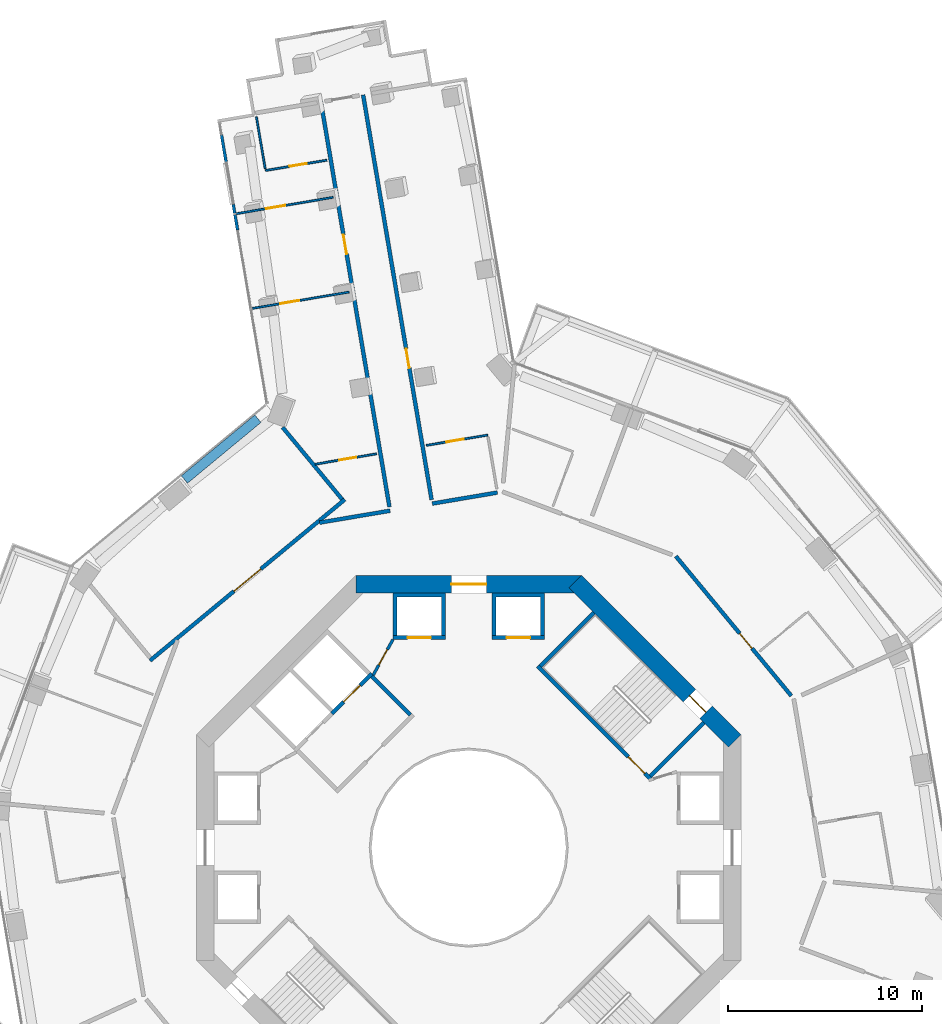
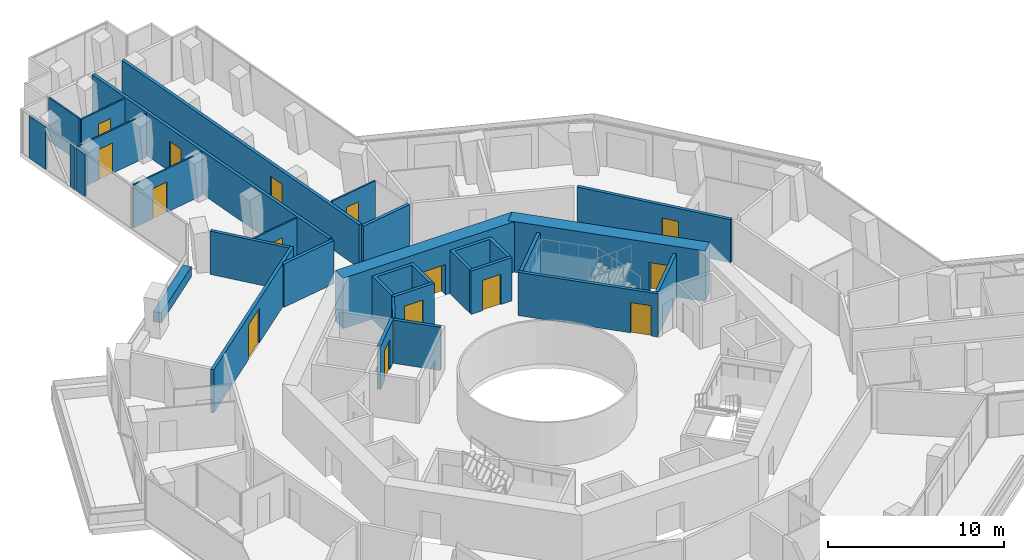
# One storey, part 23 of 27: 29 walls, 16 doors, 16 openings.
"""IFC4 building model written with IfcOpenShell, lengths in metres."""

from ifc_helpers import new_model, si_unit, direction, frame, frame_2d, origin, place, context, subcontext, project, spatial, polyline, rectangle, outline, extrude, material, layer, layer_set, type_object, element, fill, save


model = new_model("IFC4")

# Units and contexts
model_context = context("Model", 3, precision=1e-05, world=origin(), true_north=direction((0.0, 1.0)))
body_context = subcontext(model_context, "Body", "Model", "MODEL_VIEW")
ifc_project = project(units=[si_unit("LENGTHUNIT", "METRE"), si_unit("AREAUNIT", "SQUARE_METRE"), si_unit("VOLUMEUNIT", "CUBIC_METRE"), si_unit("PLANEANGLEUNIT", "RADIAN"), si_unit("MASSUNIT", "GRAM", prefix="KILO")], contexts=[model_context])

# Site, building, storey
site_placement = place(None, origin())
site = spatial("IfcSite", under=ifc_project, at=site_placement, CompositionType="ELEMENT")
building_placement = place(site_placement, origin())
building = spatial("IfcBuilding", under=site, at=building_placement, Name="Verdalira Terraces Hotel", CompositionType="ELEMENT")
storey_placement = place(building_placement, frame((0.0, 0.0, 71.5)))
storey = spatial("IfcBuildingStorey", under=building, at=storey_placement, Name="L16", CompositionType="ELEMENT", Elevation=71.5)

# Wall
ifc_material_1 = material(Name="Moisture-resistant gypsum board partition")
ifc_layer_1 = layer(ifc_material_1, 0.10009765625)
ifc_layer_set_1 = layer_set([ifc_layer_1], Name="Bathroom partition 100 mm")
wall_type_1 = type_object("IfcWallType", Name="Bathroom partition 100 mm", PredefinedType="PARTITIONING", material=ifc_layer_set_1)
wall_1_placement = place(storey_placement, frame((-10.920654, 37.583252, 0.0), z_axis=(0.0, 0.0, 1.0), x_axis=(0.166729833, -0.986002618, 0.0)))
element("IfcWall", 1, at=wall_1_placement, inside=storey, type_object=wall_type_1, Name="Bathroom partition", PredefinedType="PARTITIONING", context=body_context, shape_type="SweptSolid", body=[
    extrude(rectangle(XDim=2.700195, YDim=0.100098, at=frame_2d((1.350098, 0.0))), origin(), (0.0, 0.0, 1.0), 3.0),
])

# Wall, opening, door
wall_2_placement = place(storey_placement, frame((-11.954346, 32.601074, 0.0), z_axis=(0.0, 0.0, 1.0), x_axis=(0.985992508, 0.166789613, 0.0)))
wall_2 = element("IfcWall", 2, at=wall_2_placement, inside=storey, type_object=wall_type_1, Name="Bathroom partition", PredefinedType="PARTITIONING", context=body_context, shape_type="SweptSolid", body=[
    extrude(rectangle(XDim=5.050049, YDim=0.100098, at=frame_2d((2.524902, 0.0))), origin(), (0.0, 0.0, 1.0), 3.0),
])
opening_1_placement = place(wall_2_placement, frame((1.550049, 0.0, 0.0)))
opening_1 = element("IfcOpeningElement", 3, at=opening_1_placement, cuts=wall_2, Name="Opening L16-105", PredefinedType="OPENING", context=body_context, shape_type="SweptSolid", body=[
    extrude(rectangle(XDim=1.0, YDim=2.100098, at=frame_2d((0.5, 1.050049))), frame((0.0, 0.060059, 0.0), z_axis=(0.0, -1.0, 0.0), x_axis=(1.0, 0.0, 0.0)), (0.0, 0.0, 1.0), 0.120117),
])
ifc_material_2 = material(Name="Timber door", Category="wood")
door_type_1 = type_object("IfcDoorType", Name="Suite internal door 1000 x 2100", OperationType="NOTDEFINED", PredefinedType="DOOR", material=ifc_material_2)
door_1_placement = place(opening_1_placement, origin())
door_1 = element("IfcDoor", 4, at=door_1_placement, inside=storey, type_object=door_type_1, Name="Suite internal door 1603", OperationType="SINGLE_SWING_LEFT", OverallHeight=2.10009765625, OverallWidth=1.0, PredefinedType="DOOR", context=body_context, shape_type="SweptSolid", body=[
    extrude(rectangle(XDim=1.0, YDim=2.100098, at=frame_2d((0.5, 1.050049))), frame((0.0, 0.024902, 0.0), z_axis=(0.0, -1.0, 0.0), x_axis=(1.0, 0.0, 0.0)), (0.0, 0.0, 1.0), 0.050049),
])
fill(opening_1, door_1)

wall_3_placement = place(storey_placement, frame((-10.453613, 34.82251, 0.0), z_axis=(0.0, 0.0, 1.0), x_axis=(0.985993049, 0.166786412, 0.0)))
wall_3 = element("IfcWall", 5, at=wall_3_placement, inside=storey, type_object=wall_type_1, Name="Bathroom partition", PredefinedType="PARTITIONING", context=body_context, shape_type="SweptSolid", body=[
    extrude(rectangle(XDim=3.199951, YDim=0.100098, at=frame_2d((1.600098, 0.0))), origin(), (0.0, 0.0, 1.0), 3.0),
])
opening_2_placement = place(wall_3_placement, frame((1.25, 0.0, 0.0)))
opening_2 = element("IfcOpeningElement", 6, at=opening_2_placement, cuts=wall_3, Name="Opening L16-107", PredefinedType="OPENING", context=body_context, shape_type="SweptSolid", body=[
    extrude(rectangle(XDim=0.899902, YDim=2.100098, at=frame_2d((0.449951, 1.050049))), frame((0.0, 0.060059, 0.0), z_axis=(0.0, -1.0, 0.0), x_axis=(1.0, 0.0, 0.0)), (0.0, 0.0, 1.0), 0.120117),
])
ifc_material_3 = material(Name="Timber door", Category="wood")
door_type_2 = type_object("IfcDoorType", Name="Bathroom door 900 x 2100", OperationType="NOTDEFINED", PredefinedType="DOOR", material=ifc_material_3)
door_2_placement = place(opening_2_placement, origin())
door_2 = element("IfcDoor", 7, at=door_2_placement, inside=storey, type_object=door_type_2, Name="Bathroom door 1603", OperationType="SINGLE_SWING_LEFT", OverallHeight=2.10009765625, OverallWidth=0.89990234375, PredefinedType="DOOR", context=body_context, shape_type="SweptSolid", body=[
    extrude(rectangle(XDim=0.899902, YDim=2.100098, at=frame_2d((0.449951, 1.050049))), frame((0.0, 0.024902, 0.0), z_axis=(0.0, -1.0, 0.0), x_axis=(1.0, 0.0, 0.0)), (0.0, 0.0, 1.0), 0.050049),
])
fill(opening_2, door_2)

wall_4_placement = place(storey_placement, frame((-6.151123, 28.57251, 0.0), z_axis=(0.0, 0.0, 1.0), x_axis=(-0.986000457, -0.166742612, 0.0)))
wall_4 = element("IfcWall", 8, at=wall_4_placement, inside=storey, type_object=wall_type_1, Name="Bathroom partition", PredefinedType="PARTITIONING", context=body_context, shape_type="SweptSolid", body=[
    extrude(rectangle(XDim=5.050049, YDim=0.100098, at=frame_2d((2.524902, 0.0))), origin(), (0.0, 0.0, 1.0), 3.0),
])
opening_3_placement = place(wall_4_placement, frame((2.600098, 0.0, 0.0)))
opening_3 = element("IfcOpeningElement", 9, at=opening_3_placement, cuts=wall_4, Name="Opening L16-106", PredefinedType="OPENING", context=body_context, shape_type="SweptSolid", body=[
    extrude(rectangle(XDim=1.0, YDim=2.100098, at=frame_2d((0.5, 1.050049))), frame((0.0, 0.060059, 0.0), z_axis=(0.0, -1.0, 0.0), x_axis=(1.0, 0.0, 0.0)), (0.0, 0.0, 1.0), 0.120117),
])
door_3_placement = place(opening_3_placement, origin())
door_3 = element("IfcDoor", 10, at=door_3_placement, inside=storey, type_object=door_type_1, Name="Suite internal door 1603", OperationType="SINGLE_SWING_LEFT", OverallHeight=2.10009765625, OverallWidth=1.0, PredefinedType="DOOR", context=body_context, shape_type="SweptSolid", body=[
    extrude(rectangle(XDim=1.0, YDim=2.100098, at=frame_2d((0.5, 1.050049))), frame((0.0, 0.024902, 0.0), z_axis=(0.0, -1.0, 0.0), x_axis=(1.0, 0.0, 0.0)), (0.0, 0.0, 1.0), 0.050049),
])
fill(opening_3, door_3)

wall_5_placement = place(storey_placement, frame((-4.743652, 20.250732, 0.0), z_axis=(0.0, 0.0, 1.0), x_axis=(-0.986001351, -0.166737323, 0.0)))
wall_5 = element("IfcWall", 11, at=wall_5_placement, inside=storey, type_object=wall_type_1, Name="Bathroom partition", PredefinedType="PARTITIONING", context=body_context, shape_type="SweptSolid", body=[
    extrude(rectangle(XDim=3.199219, YDim=0.100098, at=frame_2d((1.599609, 0.0))), origin(), (0.0, 0.0, 1.0), 3.0),
])
opening_4_placement = place(wall_5_placement, frame((1.050049, 0.0, 0.0)))
opening_4 = element("IfcOpeningElement", 12, at=opening_4_placement, cuts=wall_5, Name="Opening L16-108", PredefinedType="OPENING", context=body_context, shape_type="SweptSolid", body=[
    extrude(rectangle(XDim=0.899902, YDim=2.100098, at=frame_2d((0.449951, 1.050049))), frame((0.0, 0.060059, 0.0), z_axis=(0.0, -1.0, 0.0), x_axis=(1.0, 0.0, 0.0)), (0.0, 0.0, 1.0), 0.120117),
])
door_4_placement = place(opening_4_placement, origin())
door_4 = element("IfcDoor", 13, at=door_4_placement, inside=storey, type_object=door_type_2, Name="Bathroom door 1603", OperationType="SINGLE_SWING_RIGHT", OverallHeight=2.10009765625, OverallWidth=0.89990234375, PredefinedType="DOOR", context=body_context, shape_type="SweptSolid", body=[
    extrude(rectangle(XDim=0.899902, YDim=2.100098, at=frame_2d((0.449951, 1.050049))), frame((0.0, 0.024902, 0.0), z_axis=(0.0, -1.0, 0.0), x_axis=(1.0, 0.0, 0.0)), (0.0, 0.0, 1.0), 0.050049),
])
fill(opening_4, door_4)

wall_6_placement = place(storey_placement, frame((0.975098, 21.218018, 0.0), z_axis=(0.0, 0.0, 1.0), x_axis=(-0.985993049, -0.166786412, 0.0)))
wall_6 = element("IfcWall", 14, at=wall_6_placement, inside=storey, type_object=wall_type_1, Name="Bathroom partition", PredefinedType="PARTITIONING", context=body_context, shape_type="SweptSolid", body=[
    extrude(rectangle(XDim=3.199951, YDim=0.100098, at=frame_2d((1.600098, 0.0))), origin(), (0.0, 0.0, 1.0), 3.0),
])
opening_5_placement = place(wall_6_placement, frame((1.25, 0.0, 0.0)))
opening_5 = element("IfcOpeningElement", 15, at=opening_5_placement, cuts=wall_6, Name="Opening L16-102", PredefinedType="OPENING", context=body_context, shape_type="SweptSolid", body=[
    extrude(rectangle(XDim=0.899902, YDim=2.100098, at=frame_2d((0.449951, 1.050049))), frame((0.0, 0.060059, 0.0), z_axis=(0.0, -1.0, 0.0), x_axis=(1.0, 0.0, 0.0)), (0.0, 0.0, 1.0), 0.120117),
])
door_5_placement = place(opening_5_placement, origin())
door_5 = element("IfcDoor", 16, at=door_5_placement, inside=storey, type_object=door_type_2, Name="Bathroom door 1601", OperationType="SINGLE_SWING_LEFT", OverallHeight=2.10009765625, OverallWidth=0.89990234375, PredefinedType="DOOR", context=body_context, shape_type="SweptSolid", body=[
    extrude(rectangle(XDim=0.899902, YDim=2.100098, at=frame_2d((0.449951, 1.050049))), frame((0.0, 0.024902, 0.0), z_axis=(0.0, -1.0, 0.0), x_axis=(1.0, 0.0, 0.0)), (0.0, 0.0, 1.0), 0.050049),
])
fill(opening_5, door_5)

# Wall
ifc_material_4 = material(Name="Concrete C50", Category="concrete")
ifc_layer_2 = layer(ifc_material_4, 0.199951171875)
ifc_layer_set_2 = layer_set([ifc_layer_2], Name="Core RC wall 200 C50")
wall_type_2 = type_object("IfcWallType", Name="Core RC wall 200 C50", PredefinedType="SOLIDWALL", material=ifc_layer_set_2)
wall_7_placement = place(storey_placement, origin())
element("IfcWall", 17, at=wall_7_placement, inside=storey, type_object=wall_type_2, Name="L16 shaft wall N1", PredefinedType="SOLIDWALL", context=body_context, shape_type="SweptSolid", body=[
    extrude(outline(polyline([(3.899902, 13.100098), (3.899902, 10.899902), (3.699951, 10.899902), (3.699951, 12.899902), (1.399902, 12.899902), (1.399902, 10.899902), (1.199951, 10.899902), (1.199951, 13.100098), (3.899902, 13.100098)])), origin(), (0.0, 0.0, 1.0), 3.0),
])

# Wall, opening, door
wall_8_placement = place(storey_placement, frame((1.199951, 10.800049, 0.0), z_axis=(0.0, 0.0, 1.0), x_axis=(1.0, 0.0, 0.0)))
wall_8 = element("IfcWall", 18, at=wall_8_placement, inside=storey, type_object=wall_type_2, Name="L16 shaft front wall N1", PredefinedType="SOLIDWALL", context=body_context, shape_type="SweptSolid", body=[
    extrude(rectangle(XDim=2.699951, YDim=0.199951, at=frame_2d((1.350098, 0.0))), origin(), (0.0, 0.0, 1.0), 3.0),
])
opening_6_placement = place(wall_8_placement, frame((0.75, 0.0, 0.0)))
opening_6 = element("IfcOpeningElement", 19, at=opening_6_placement, cuts=wall_8, Name="Opening LD-L16-803", PredefinedType="OPENING", context=body_context, shape_type="SweptSolid", body=[
    extrude(rectangle(XDim=1.199951, YDim=2.100098, at=frame_2d((0.600098, 1.050049))), frame((0.0, 0.109863, 0.0), z_axis=(0.0, -1.0, 0.0), x_axis=(1.0, 0.0, 0.0)), (0.0, 0.0, 1.0), 0.219971),
])
ifc_material_5 = material(Name="Stainless steel", Category="steel")
door_type_3 = type_object("IfcDoorType", Name="Landing door 1200 x 2100", OperationType="NOTDEFINED", PredefinedType="DOOR", material=ifc_material_5)
door_6_placement = place(opening_6_placement, origin())
door_6 = element("IfcDoor", 20, at=door_6_placement, inside=storey, type_object=door_type_3, Name="Lift landing door LR3 L16", OperationType="DOUBLE_DOOR_SLIDING", OverallHeight=2.10009765625, OverallWidth=1.199951171875, PredefinedType="DOOR", context=body_context, shape_type="SweptSolid", body=[
    extrude(rectangle(XDim=1.199951, YDim=2.100098, at=frame_2d((0.600098, 1.050049))), frame((0.0, 0.024902, 0.0), z_axis=(0.0, -1.0, 0.0), x_axis=(1.0, 0.0, 0.0)), (0.0, 0.0, 1.0), 0.050049),
])
fill(opening_6, door_6)

# Wall
wall_9_placement = place(storey_placement, origin())
element("IfcWall", 21, at=wall_9_placement, inside=storey, type_object=wall_type_2, Name="L16 shaft wall N2", PredefinedType="SOLIDWALL", context=body_context, shape_type="SweptSolid", body=[
    extrude(outline(polyline([(-3.899902, 10.899902), (-3.899902, 13.100098), (-1.199951, 13.100098), (-1.199951, 10.899902), (-1.399902, 10.899902), (-1.399902, 12.899902), (-3.699951, 12.899902), (-3.699951, 10.899902), (-3.899902, 10.899902)])), origin(), (0.0, 0.0, 1.0), 3.0),
])

# Wall, opening, door
wall_10_placement = place(storey_placement, frame((-1.199951, 10.800049, 0.0), z_axis=(0.0, 0.0, 1.0), x_axis=(-1.0, 0.0, 0.0)))
wall_10 = element("IfcWall", 22, at=wall_10_placement, inside=storey, type_object=wall_type_2, Name="L16 shaft front wall N2", PredefinedType="SOLIDWALL", context=body_context, shape_type="SweptSolid", body=[
    extrude(rectangle(XDim=2.699951, YDim=0.199951, at=frame_2d((1.350098, 0.0))), origin(), (0.0, 0.0, 1.0), 3.0),
])
opening_7_placement = place(wall_10_placement, frame((0.75, 0.0, 0.0)))
opening_7 = element("IfcOpeningElement", 23, at=opening_7_placement, cuts=wall_10, Name="Opening LD-L16-804", PredefinedType="OPENING", context=body_context, shape_type="SweptSolid", body=[
    extrude(rectangle(XDim=1.199951, YDim=2.100098, at=frame_2d((0.600098, 1.050049))), frame((0.0, 0.109863, 0.0), z_axis=(0.0, -1.0, 0.0), x_axis=(1.0, 0.0, 0.0)), (0.0, 0.0, 1.0), 0.219971),
])
door_7_placement = place(opening_7_placement, origin())
door_7 = element("IfcDoor", 24, at=door_7_placement, inside=storey, type_object=door_type_3, Name="Lift landing door LR4 L16", OperationType="DOUBLE_DOOR_SLIDING", OverallHeight=2.10009765625, OverallWidth=1.199951171875, PredefinedType="DOOR", context=body_context, shape_type="SweptSolid", body=[
    extrude(rectangle(XDim=1.199951, YDim=2.100098, at=frame_2d((0.600098, 1.050049))), frame((0.0, 0.024902, 0.0), z_axis=(0.0, -1.0, 0.0), x_axis=(1.0, 0.0, 0.0)), (0.0, 0.0, 1.0), 0.050049),
])
fill(opening_7, door_7)

wall_11_placement = place(storey_placement, frame((-4.985107, 8.944824, 0.0), z_axis=(0.0, 0.0, 1.0), x_axis=(-0.707106781, -0.707106781, 0.0)))
wall_11 = element("IfcWall", 25, at=wall_11_placement, inside=storey, type_object=wall_type_2, Name="L16 shaft front wall F1", PredefinedType="SOLIDWALL", context=body_context, shape_type="SweptSolid", body=[
    extrude(rectangle(XDim=2.899902, YDim=0.199951, at=frame_2d((1.449951, 0.0))), origin(), (0.0, 0.0, 1.0), 3.0),
])
opening_8_placement = place(wall_11_placement, frame((0.850098, 0.0, 0.0)))
opening_8 = element("IfcOpeningElement", 26, at=opening_8_placement, cuts=wall_11, Name="Opening LD-L16-807", PredefinedType="OPENING", context=body_context, shape_type="SweptSolid", body=[
    extrude(rectangle(XDim=1.199951, YDim=2.100098, at=frame_2d((0.600098, 1.050049))), frame((0.0, 0.109863, 0.0), z_axis=(0.0, -1.0, 0.0), x_axis=(1.0, 0.0, 0.0)), (0.0, 0.0, 1.0), 0.219971),
])
door_8_placement = place(opening_8_placement, origin())
door_8 = element("IfcDoor", 27, at=door_8_placement, inside=storey, type_object=door_type_3, Name="Lift landing door LF11 L16", OperationType="DOUBLE_DOOR_SLIDING", OverallHeight=2.10009765625, OverallWidth=1.199951171875, PredefinedType="DOOR", context=body_context, shape_type="SweptSolid", body=[
    extrude(rectangle(XDim=1.199951, YDim=2.100098, at=frame_2d((0.600098, 1.050049))), frame((0.0, 0.024902, 0.0), z_axis=(0.0, -1.0, 0.0), x_axis=(1.0, 0.0, 0.0)), (0.0, 0.0, 1.0), 0.050049),
])
fill(opening_8, door_8)

wall_12_placement = place(storey_placement, frame((3.5354, 9.33374, 0.0), z_axis=(0.0, 0.0, 1.0), x_axis=(0.707106781, -0.707106781, 0.0)))
wall_12 = element("IfcWall", 28, at=wall_12_placement, inside=storey, type_object=wall_type_2, Name="L16 stair ST1 front wall", PredefinedType="SOLIDWALL", context=body_context, shape_type="SweptSolid", body=[
    extrude(rectangle(XDim=8.200195, YDim=0.199951, at=frame_2d((4.100098, 0.0))), origin(), (0.0, 0.0, 1.0), 3.0),
])
opening_9_placement = place(wall_12_placement, frame((6.600098, 0.0, 0.0)))
opening_9 = element("IfcOpeningElement", 29, at=opening_9_placement, cuts=wall_12, Name="Opening L16-809", PredefinedType="OPENING", context=body_context, shape_type="SweptSolid", body=[
    extrude(rectangle(XDim=1.199951, YDim=2.100098, at=frame_2d((0.600098, 1.050049))), frame((0.0, 0.109863, 0.0), z_axis=(0.0, -1.0, 0.0), x_axis=(1.0, 0.0, 0.0)), (0.0, 0.0, 1.0), 0.219971),
])
ifc_material_6 = material(Name="Steel fire door", Category="steel")
door_type_4 = type_object("IfcDoorType", Name="Stair door 1200 x 2100", OperationType="NOTDEFINED", PredefinedType="DOOR", material=ifc_material_6)
door_9_placement = place(opening_9_placement, origin())
door_9 = element("IfcDoor", 30, at=door_9_placement, inside=storey, type_object=door_type_4, Name="Stair door ST1 L16", OperationType="SINGLE_SWING_RIGHT", OverallHeight=2.10009765625, OverallWidth=1.199951171875, PredefinedType="DOOR", context=body_context, shape_type="SweptSolid", body=[
    extrude(rectangle(XDim=1.199951, YDim=2.100098, at=frame_2d((0.600098, 1.050049))), frame((0.0, 0.024902, 0.0), z_axis=(0.0, -1.0, 0.0), x_axis=(1.0, 0.0, 0.0)), (0.0, 0.0, 1.0), 0.050049),
])
fill(opening_9, door_9)

# Walls
for number, where, z_axis, x_axis, name in (
    (31, (9.33374, 3.677002, 0.0), (0.0, 0.0, 1.0), (0.707106781, 0.707106781, 0.0), "L16 stair ST1 end wall 1"),
    (32, (3.677002, 9.33374, 0.0), (0.0, 0.0, 1.0), (0.707106781, 0.707106781, 0.0), "L16 stair ST1 end wall 2"),
):
    element("IfcWall", number, at=place(storey_placement, frame(where, z_axis=z_axis, x_axis=x_axis)), inside=storey, type_object=wall_type_2, Name=name, PredefinedType="SOLIDWALL", context=body_context, shape_type="SweptSolid", body=[
        extrude(rectangle(XDim=3.900146, YDim=0.199951, at=frame_2d((1.950195, 0.0))), origin(), (0.0, 0.0, 1.0), 3.0),
    ])
wall_13_placement = place(storey_placement, frame((-3.005127, 6.823486, 0.0), z_axis=(0.0, 0.0, 1.0), x_axis=(-0.707106781, 0.707106781, 0.0)))
element("IfcWall", 33, at=wall_13_placement, inside=storey, type_object=wall_type_2, Name="L16 fire lobby wall", PredefinedType="SOLIDWALL", context=body_context, shape_type="SweptSolid", body=[
    extrude(rectangle(XDim=2.800049, YDim=0.199951, at=frame_2d((1.399902, 0.0))), origin(), (0.0, 0.0, 1.0), 3.0),
])

# Wall, opening, door
ifc_material_7 = material(Name="Gypsum board partition")
ifc_layer_3 = layer(ifc_material_7, 0.14990234375)
ifc_layer_set_3 = layer_set([ifc_layer_3], Name="Core partition 150 mm")
wall_type_3 = type_object("IfcWallType", Name="Core partition 150 mm", PredefinedType="PARTITIONING", material=ifc_layer_set_3)
wall_14_placement = place(storey_placement, frame((-3.899902, 10.699951, 0.0), z_axis=(0.0, 0.0, 1.0), x_axis=(-0.485692555, -0.874129705, 0.0)))
wall_14 = element("IfcWall", 34, at=wall_14_placement, inside=storey, type_object=wall_type_3, Name="Room partition L16", PredefinedType="PARTITIONING", context=body_context, shape_type="SweptSolid", body=[
    extrude(rectangle(XDim=2.088623, YDim=0.149902, at=frame_2d((1.044434, 0.0))), origin(), (0.0, 0.0, 1.0), 3.0),
])
opening_10_placement = place(wall_14_placement, frame((0.594238, 0.0, 0.0)))
opening_10 = element("IfcOpeningElement", 35, at=opening_10_placement, cuts=wall_14, Name="Opening L16-821", PredefinedType="OPENING", context=body_context, shape_type="SweptSolid", body=[
    extrude(rectangle(XDim=0.899902, YDim=2.100098, at=frame_2d((0.449951, 1.050049))), frame((0.0, 0.084961, 0.0), z_axis=(0.0, -1.0, 0.0), x_axis=(1.0, 0.0, 0.0)), (0.0, 0.0, 1.0), 0.169922),
])
ifc_material_8 = material(Name="Steel fire door", Category="steel")
door_type_5 = type_object("IfcDoorType", Name="Core room door 900 x 2100", OperationType="NOTDEFINED", PredefinedType="DOOR", material=ifc_material_8)
door_10_placement = place(opening_10_placement, origin())
door_10 = element("IfcDoor", 36, at=door_10_placement, inside=storey, type_object=door_type_5, Name="Door L16 room2", OperationType="SINGLE_SWING_LEFT", OverallHeight=2.10009765625, OverallWidth=0.89990234375, PredefinedType="DOOR", context=body_context, shape_type="SweptSolid", body=[
    extrude(rectangle(XDim=0.899902, YDim=2.100098, at=frame_2d((0.449951, 1.050049))), frame((0.0, 0.024902, 0.0), z_axis=(0.0, -1.0, 0.0), x_axis=(1.0, 0.0, 0.0)), (0.0, 0.0, 1.0), 0.050049),
])
fill(opening_10, door_10)

ifc_material_9 = material(Name="Concrete C70", Category="concrete")
ifc_layer_4 = layer(ifc_material_9, 0.89990234375)
ifc_layer_set_4 = layer_set([ifc_layer_4], Name="Core wall 900 C70")
wall_type_4 = type_object("IfcWallType", Name="Core wall 900 C70", PredefinedType="SHEAR", material=ifc_layer_set_4)
wall_15_placement = place(storey_placement, frame((13.681885, 5.480713, 0.0), z_axis=(0.0, 0.0, 1.0), x_axis=(-0.707106781, 0.707106781, 0.0)))
wall_15 = element("IfcWall", 37, at=wall_15_placement, inside=storey, type_object=wall_type_4, Name="Core wall CW-L16-2", PredefinedType="SHEAR", context=body_context, shape_type="SweptSolid", body=[
    extrude(rectangle(XDim=11.598145, YDim=0.899902, at=frame_2d((5.799072, 0.0))), origin(), (0.0, 0.0, 1.0), 3.5),
])
opening_11_placement = place(wall_15_placement, frame((2.099121, 0.0, 0.0)))
opening_11 = element("IfcOpeningElement", 38, at=opening_11_placement, cuts=wall_15, Name="Opening L16-816", PredefinedType="OPENING", context=body_context, shape_type="SweptSolid", body=[
    extrude(rectangle(XDim=1.199951, YDim=2.100098, at=frame_2d((0.600098, 1.050049))), frame((0.0, 0.459961, 0.0), z_axis=(0.0, -1.0, 0.0), x_axis=(1.0, 0.0, 0.0)), (0.0, 0.0, 1.0), 0.919922),
])
door_11_placement = place(opening_11_placement, origin())
door_11 = element("IfcDoor", 39, at=door_11_placement, inside=storey, type_object=door_type_4, Name="Stair exit door ST1 L16", OperationType="SINGLE_SWING_LEFT", OverallHeight=2.10009765625, OverallWidth=1.199951171875, PredefinedType="DOOR", context=body_context, shape_type="SweptSolid", body=[
    extrude(rectangle(XDim=1.199951, YDim=2.100098, at=frame_2d((0.600098, 1.050049))), frame((0.0, 0.024902, 0.0), z_axis=(0.0, -1.0, 0.0), x_axis=(1.0, 0.0, 0.0)), (0.0, 0.0, 1.0), 0.050049),
])
fill(opening_11, door_11)

wall_16_placement = place(storey_placement, frame((5.799072, 13.550049, 0.0), z_axis=(0.0, 0.0, 1.0), x_axis=(-1.0, 0.0, 0.0)))
wall_16 = element("IfcWall", 40, at=wall_16_placement, inside=storey, type_object=wall_type_4, Name="Core wall CW-L16-3", PredefinedType="SHEAR", context=body_context, shape_type="SweptSolid", body=[
    extrude(rectangle(XDim=11.598145, YDim=0.899902, at=frame_2d((5.799072, 0.0))), origin(), (0.0, 0.0, 1.0), 3.5),
])
opening_12_placement = place(wall_16_placement, frame((4.898926, 0.0, 0.0)))
opening_12 = element("IfcOpeningElement", 41, at=opening_12_placement, cuts=wall_16, Name="Opening L16-813", PredefinedType="OPENING", context=body_context, shape_type="SweptSolid", body=[
    extrude(rectangle(XDim=1.800049, YDim=2.100098, at=frame_2d((0.899902, 1.050049))), frame((0.0, 0.459961, 0.0), z_axis=(0.0, -1.0, 0.0), x_axis=(1.0, 0.0, 0.0)), (0.0, 0.0, 1.0), 0.919922),
])
ifc_material_10 = material(Name="Steel fire door", Category="steel")
door_type_6 = type_object("IfcDoorType", Name="Core entry door pair 1800 x 2100", OperationType="NOTDEFINED", PredefinedType="DOOR", material=ifc_material_10)
door_12_placement = place(opening_12_placement, origin())
door_12 = element("IfcDoor", 42, at=door_12_placement, inside=storey, type_object=door_type_6, Name="Core entry door L16 2", OperationType="DOUBLE_DOOR_SINGLE_SWING", OverallHeight=2.10009765625, OverallWidth=1.800048828125, PredefinedType="DOOR", context=body_context, shape_type="SweptSolid", body=[
    extrude(rectangle(XDim=1.800049, YDim=2.100098, at=frame_2d((0.899902, 1.050049))), frame((0.0, 0.024902, 0.0), z_axis=(0.0, -1.0, 0.0), x_axis=(1.0, 0.0, 0.0)), (0.0, 0.0, 1.0), 0.050049),
])
fill(opening_12, door_12)

# Wall
ifc_material_11 = material(Name="Fire-rated gypsum board wall")
ifc_layer_5 = layer(ifc_material_11, 0.199951171875)
ifc_layer_set_5 = layer_set([ifc_layer_5], Name="Guest corridor wall 200 mm")
wall_type_5 = type_object("IfcWallType", Name="Guest corridor wall 200 mm", PredefinedType="SOLIDWALL", material=ifc_layer_set_5)
wall_17_placement = place(storey_placement, frame((-4.046143, 17.326172, 0.0), z_axis=(0.0, 0.0, 1.0), x_axis=(-0.986001878, -0.166734212, 0.0)))
element("IfcWall", 43, at=wall_17_placement, inside=storey, type_object=wall_type_5, Name="Guest corridor wall", PredefinedType="SOLIDWALL", context=body_context, shape_type="SweptSolid", body=[
    extrude(rectangle(XDim=3.678223, YDim=0.199951, at=frame_2d((1.839111, 0.0))), origin(), (0.0, 0.0, 1.0), 3.0),
])

# Wall, opening, door
wall_18_placement = place(storey_placement, frame((-4.07959, 17.523438, 0.0), z_axis=(0.0, 0.0, 1.0), x_axis=(-0.166762348, 0.985997119, 0.0)))
wall_18 = element("IfcWall", 44, at=wall_18_placement, inside=storey, type_object=wall_type_5, Name="Guest corridor wall", PredefinedType="SOLIDWALL", context=body_context, shape_type="SweptSolid", body=[
    extrude(rectangle(XDim=21.119629, YDim=0.199951, at=frame_2d((10.559814, 0.0))), origin(), (0.0, 0.0, 1.0), 3.0),
])
opening_13_placement = place(wall_18_placement, frame((13.189941, 0.0, 0.0)))
opening_13 = element("IfcOpeningElement", 45, at=opening_13_placement, cuts=wall_18, Name="Opening L16-104", PredefinedType="OPENING", context=body_context, shape_type="SweptSolid", body=[
    extrude(rectangle(XDim=1.0, YDim=2.100098, at=frame_2d((0.5, 1.050049))), frame((0.0, 0.109863, 0.0), z_axis=(0.0, -1.0, 0.0), x_axis=(1.0, 0.0, 0.0)), (0.0, 0.0, 1.0), 0.219971),
])
ifc_material_12 = material(Name="Timber fire door", Category="wood")
door_type_7 = type_object("IfcDoorType", Name="Guest entry door 1000 x 2100", OperationType="NOTDEFINED", PredefinedType="DOOR", material=ifc_material_12)
door_13_placement = place(opening_13_placement, origin())
door_13 = element("IfcDoor", 46, at=door_13_placement, inside=storey, type_object=door_type_7, Name="Guest entry door 1603", OperationType="SINGLE_SWING_LEFT", OverallHeight=2.10009765625, OverallWidth=1.0, PredefinedType="DOOR", context=body_context, shape_type="SweptSolid", body=[
    extrude(rectangle(XDim=1.0, YDim=2.100098, at=frame_2d((0.5, 1.050049))), frame((0.0, 0.024902, 0.0), z_axis=(0.0, -1.0, 0.0), x_axis=(1.0, 0.0, 0.0)), (0.0, 0.0, 1.0), 0.050049),
])
fill(opening_13, door_13)

wall_19_placement = place(storey_placement, frame((-5.432373, 38.714355, 0.0), z_axis=(0.0, 0.0, 1.0), x_axis=(0.166762348, -0.985997119, 0.0)))
wall_19 = element("IfcWall", 47, at=wall_19_placement, inside=storey, type_object=wall_type_5, Name="Guest corridor wall", PredefinedType="SOLIDWALL", context=body_context, shape_type="SweptSolid", body=[
    extrude(rectangle(XDim=21.119629, YDim=0.199951, at=frame_2d((10.559814, 0.0))), origin(), (0.0, 0.0, 1.0), 3.0),
])
opening_14_placement = place(wall_19_placement, frame((13.25, 0.0, 0.0)))
opening_14 = element("IfcOpeningElement", 48, at=opening_14_placement, cuts=wall_19, Name="Opening L16-101", PredefinedType="OPENING", context=body_context, shape_type="SweptSolid", body=[
    extrude(rectangle(XDim=1.0, YDim=2.100098, at=frame_2d((0.5, 1.050049))), frame((0.0, 0.109863, 0.0), z_axis=(0.0, -1.0, 0.0), x_axis=(1.0, 0.0, 0.0)), (0.0, 0.0, 1.0), 0.219971),
])
door_14_placement = place(opening_14_placement, origin())
door_14 = element("IfcDoor", 49, at=door_14_placement, inside=storey, type_object=door_type_7, Name="Guest entry door 1601", OperationType="SINGLE_SWING_LEFT", OverallHeight=2.10009765625, OverallWidth=1.0, PredefinedType="DOOR", context=body_context, shape_type="SweptSolid", body=[
    extrude(rectangle(XDim=1.0, YDim=2.100098, at=frame_2d((0.5, 1.050049))), frame((0.0, 0.024902, 0.0), z_axis=(0.0, -1.0, 0.0), x_axis=(1.0, 0.0, 0.0)), (0.0, 0.0, 1.0), 0.050049),
])
fill(opening_14, door_14)

# Wall
wall_20_placement = place(storey_placement, frame((1.475342, 18.26001, 0.0), z_axis=(0.0, 0.0, 1.0), x_axis=(-0.986001053, -0.16673909, 0.0)))
element("IfcWall", 50, at=wall_20_placement, inside=storey, type_object=wall_type_5, Name="Guest corridor wall", PredefinedType="SOLIDWALL", context=body_context, shape_type="SweptSolid", body=[
    extrude(rectangle(XDim=3.399902, YDim=0.199951, at=frame_2d((1.699951, 0.0))), origin(), (0.0, 0.0, 1.0), 3.0),
])

# Wall, opening, door
wall_21_placement = place(storey_placement, frame((10.650391, 14.985596, 0.0), z_axis=(0.0, 0.0, 1.0), x_axis=(0.637416992, -0.770519032, 0.0)))
wall_21 = element("IfcWall", 51, at=wall_21_placement, inside=storey, type_object=wall_type_5, Name="Guest corridor wall", PredefinedType="SOLIDWALL", context=body_context, shape_type="SweptSolid", body=[
    extrude(rectangle(XDim=9.316162, YDim=0.199951, at=frame_2d((4.658203, 0.0))), origin(), (0.0, 0.0, 1.0), 3.0),
])
opening_15_placement = place(wall_21_placement, frame((5.149902, 0.0, 0.0)))
opening_15 = element("IfcOpeningElement", 52, at=opening_15_placement, cuts=wall_21, Name="Opening L16-134", PredefinedType="OPENING", context=body_context, shape_type="SweptSolid", body=[
    extrude(rectangle(XDim=1.0, YDim=2.100098, at=frame_2d((0.5, 1.050049))), frame((0.0, 0.109863, 0.0), z_axis=(0.0, -1.0, 0.0), x_axis=(1.0, 0.0, 0.0)), (0.0, 0.0, 1.0), 0.219971),
])
door_15_placement = place(opening_15_placement, origin())
door_15 = element("IfcDoor", 53, at=door_15_placement, inside=storey, type_object=door_type_7, Name="Guest entry door 1615", OperationType="SINGLE_SWING_LEFT", OverallHeight=2.10009765625, OverallWidth=1.0, PredefinedType="DOOR", context=body_context, shape_type="SweptSolid", body=[
    extrude(rectangle(XDim=1.0, YDim=2.100098, at=frame_2d((0.5, 1.050049))), frame((0.0, 0.024902, 0.0), z_axis=(0.0, -1.0, 0.0), x_axis=(1.0, 0.0, 0.0)), (0.0, 0.0, 1.0), 0.050049),
])
fill(opening_15, door_15)

ifc_material_13 = material(Name="Terracotta cladding", Category="masonry")
ifc_layer_6 = layer(ifc_material_13, 0.199951171875)
ifc_layer_set_6 = layer_set([ifc_layer_6], Name="Loggia back wall 200")
wall_type_6 = type_object("IfcWallType", Name="Loggia back wall 200", PredefinedType="SOLIDWALL", material=ifc_layer_set_6)
wall_22_placement = place(storey_placement, frame((-16.391602, 9.616943, 0.0), z_axis=(0.0, 0.0, 1.0), x_axis=(0.770516134, 0.637420495, 0.0)))
wall_22 = element("IfcWall", 54, at=wall_22_placement, inside=storey, type_object=wall_type_6, Name="Loggia back wall", PredefinedType="SOLIDWALL", context=body_context, shape_type="SweptSolid", body=[
    extrude(rectangle(XDim=12.999756, YDim=0.199951, at=frame_2d((6.5, 0.0))), origin(), (0.0, 0.0, 1.0), 3.0),
])
opening_16_placement = place(wall_22_placement, frame((5.600098, 0.0, 0.0)))
opening_16 = element("IfcOpeningElement", 55, at=opening_16_placement, cuts=wall_22, Name="Opening L16-L01", PredefinedType="OPENING", context=body_context, shape_type="SweptSolid", body=[
    extrude(rectangle(XDim=1.800049, YDim=2.399902, at=frame_2d((0.899902, 1.199951))), frame((0.0, 0.109863, 0.0), z_axis=(0.0, -1.0, 0.0), x_axis=(1.0, 0.0, 0.0)), (0.0, 0.0, 1.0), 0.219971),
])
ifc_material_14 = material(Name="Clear glass", Category="glass")
door_type_8 = type_object("IfcDoorType", Name="Garden double door 1800x2400", OperationType="NOTDEFINED", PredefinedType="DOOR", material=ifc_material_14)
door_16_placement = place(opening_16_placement, origin())
door_16 = element("IfcDoor", 56, at=door_16_placement, inside=storey, type_object=door_type_8, Name="Loggia double door", OperationType="DOUBLE_DOOR_SINGLE_SWING", OverallHeight=2.39990234375, OverallWidth=1.800048828125, PredefinedType="DOOR", context=body_context, shape_type="SweptSolid", body=[
    extrude(rectangle(XDim=1.800049, YDim=2.399902, at=frame_2d((0.899902, 1.199951))), frame((0.0, 0.024902, 0.0), z_axis=(0.0, -1.0, 0.0), x_axis=(1.0, 0.0, 0.0)), (0.0, 0.0, 1.0), 0.050049),
])
fill(opening_16, door_16)

# Walls
wall_23_placement = place(storey_placement, frame((-9.572754, 21.611816, 0.0), z_axis=(0.0, 0.0, 1.0), x_axis=(0.637431216, -0.770507264, 0.0)))
element("IfcWall", 57, at=wall_23_placement, inside=storey, type_object=wall_type_6, Name="Loggia side wall", PredefinedType="SOLIDWALL", context=body_context, shape_type="SweptSolid", body=[
    extrude(rectangle(XDim=4.795654, YDim=0.199951, at=frame_2d((2.397949, 0.0))), origin(), (0.0, 0.0, 1.0), 3.0),
])
ifc_material_15 = material(Name="Concrete C40", Category="concrete")
ifc_layer_7 = layer(ifc_material_15, 0.5)
ifc_layer_set_7 = layer_set([ifc_layer_7], Name="Loggia planter trough with tree")
wall_type_7 = type_object("IfcWallType", Name="Loggia planter trough with tree", PredefinedType="SOLIDWALL", material=ifc_layer_set_7)
wall_24_placement = place(storey_placement, frame((-10.844238, 22.058105, 0.0), z_axis=(0.0, 0.0, 1.0), x_axis=(-0.770497167, -0.637443421, 0.0)))
element("IfcWall", 58, at=wall_24_placement, inside=storey, type_object=wall_type_7, Name="Loggia planter", PredefinedType="SOLIDWALL", context=body_context, shape_type="SweptSolid", body=[
    extrude(rectangle(XDim=4.904785, YDim=0.5, at=frame_2d((2.452393, 0.0))), origin(), (0.0, 0.0, 1.0), 0.699951),
])
ifc_material_16 = material(Name="Terracotta cladding", Category="masonry")
ifc_layer_8 = layer(ifc_material_16, 0.14990234375)
ifc_layer_set_8 = layer_set([ifc_layer_8], Name="Terracotta column pier 150")
wall_type_8 = type_object("IfcWallType", Name="Terracotta column pier 150", PredefinedType="SOLIDWALL", material=ifc_layer_set_8)
wall_25_placement = place(storey_placement, frame((-12.718506, 36.670654, 0.0), z_axis=(0.0, 0.0, 1.0), x_axis=(0.166668852, -0.986012928, 0.0)))
element("IfcWall", 59, at=wall_25_placement, inside=storey, type_object=wall_type_8, Name="Terracotta column pier", PredefinedType="SOLIDWALL", context=body_context, shape_type="SweptSolid", body=[
    extrude(rectangle(XDim=1.464844, YDim=0.149902, at=frame_2d((0.732422, 0.0))), origin(), (0.0, 0.0, 1.0), 2.935059),
])
wall_26_placement = place(storey_placement, frame((-12.111572, 33.081543, 0.0), z_axis=(0.0, 0.0, 1.0), x_axis=(0.166952529, -0.985964935, 0.0)))
element("IfcWall", 60, at=wall_26_placement, inside=storey, type_object=wall_type_8, Name="Terracotta column pier", PredefinedType="SOLIDWALL", context=body_context, shape_type="SweptSolid", body=[
    extrude(rectangle(XDim=0.465088, YDim=0.149902, at=frame_2d((0.232422, 0.0))), origin(), (0.0, 0.0, 1.0), 2.935059),
])
wall_27_placement = place(storey_placement, frame((-12.022461, 32.554199, 0.0), z_axis=(0.0, 0.0, 1.0), x_axis=(0.166767273, -0.985996286, 0.0)))
element("IfcWall", 61, at=wall_27_placement, inside=storey, type_object=wall_type_8, Name="Terracotta column pier", PredefinedType="SOLIDWALL", context=body_context, shape_type="SweptSolid", body=[
    extrude(rectangle(XDim=0.802246, YDim=0.149902, at=frame_2d((0.401123, 0.0))), origin(), (0.0, 0.0, 1.0), 2.935059),
])

save(model, "model.ifc")
